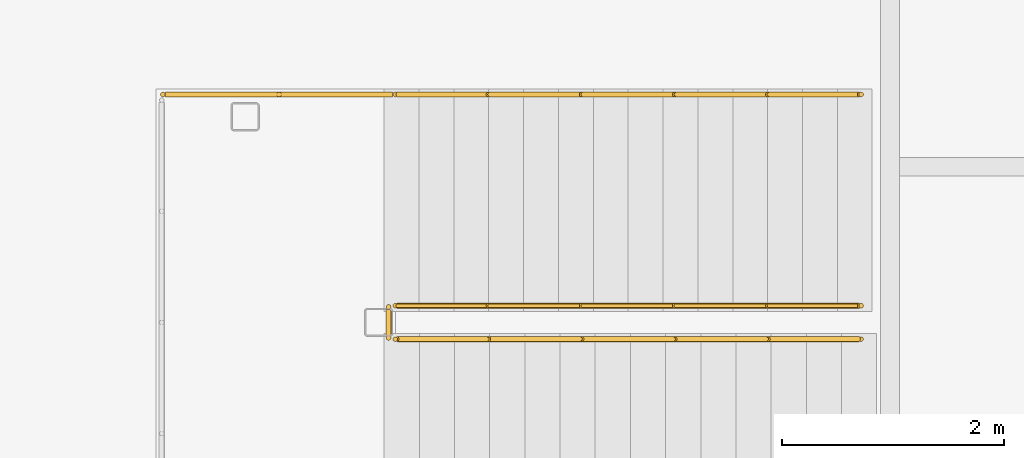
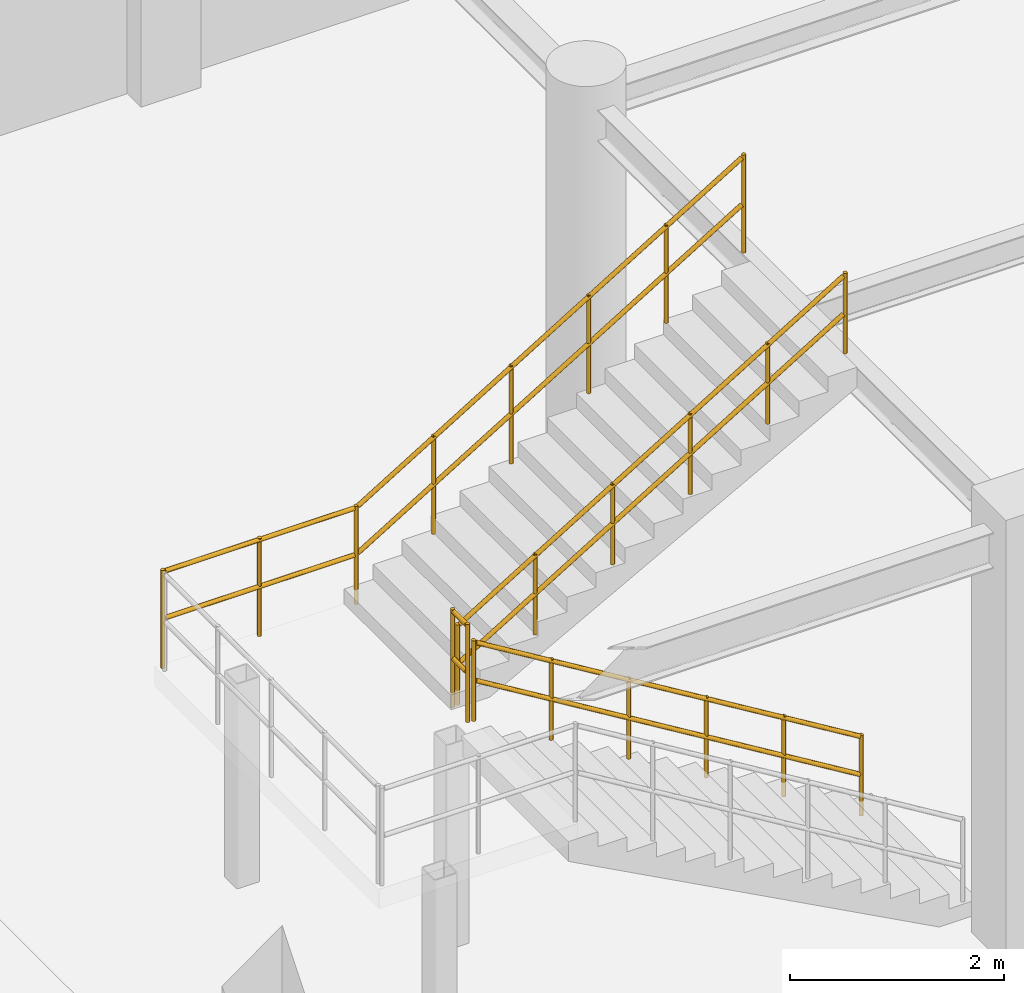
# One storey, part 90 of 99: 4 railings.
"""IFC4 building model written with IfcOpenShell, lengths in metres."""

from ifc_helpers import new_model, si_unit, direction, frame, origin, origin_2d, place, context, subcontext, project, spatial, circle, extrude, material, type_object, element, save


model = new_model("IFC4")

# Units and contexts
model_context = context("Model", 3, precision=1e-05, world=origin(), true_north=direction((0.0, 1.0)))
body_context = subcontext(model_context, "Body", "Model", "MODEL_VIEW")
ifc_project = project(units=[si_unit("LENGTHUNIT", "METRE"), si_unit("AREAUNIT", "SQUARE_METRE"), si_unit("VOLUMEUNIT", "CUBIC_METRE"), si_unit("PLANEANGLEUNIT", "RADIAN"), si_unit("MASSUNIT", "GRAM", prefix="KILO")], contexts=[model_context])

# Site, building, storey
site_placement = place(None, origin())
site = spatial("IfcSite", under=ifc_project, at=site_placement, CompositionType="ELEMENT")
building_placement = place(site_placement, origin())
building = spatial("IfcBuilding", under=site, at=building_placement, Name="Vaudrelin Polytechnic", CompositionType="ELEMENT")
storey_placement = place(building_placement, origin())
storey = spatial("IfcBuildingStorey", under=building, at=storey_placement, Name="L00", CompositionType="ELEMENT", Elevation=0.0)

# Railings
ifc_material = material(Name="Brushed stainless steel AISI 304", Category="steel")
railing_type_1 = type_object("IfcRailingType", Name="RAL-GR-INT", PredefinedType="GUARDRAIL", material=ifc_material)
railing_1_placement = place(storey_placement, frame((76.489990234375, 34.909912109375, 2.550048828125)))
element("IfcRailing", 1, at=railing_1_placement, inside=storey, type_object=railing_type_1, Name="ST-WG1 landing well guardrail", PredefinedType="GUARDRAIL", context=body_context, shape_type="SweptSolid", body=[
    extrude(circle(Radius=0.02392578125, at=origin_2d()), frame((0.0, 0.023193359375, 1.09619140625), z_axis=(0.0, 1.0, 0.0), x_axis=(-1.0, 0.0, 0.0)), (0.0, 0.0, 1.0), 0.23388671875),
    extrude(circle(Radius=0.02392578125, at=origin_2d()), frame((0.0, 0.023193359375, 0.56005859375), z_axis=(0.0, 1.0, 0.0), x_axis=(-1.0, 0.0, 0.0)), (0.0, 0.0, 1.0), 0.23388671875),
    extrude(circle(Radius=0.02099609375, at=origin_2d()), origin(), (0.0, 0.0, 1.0), 1.1201171875),
    extrude(circle(Radius=0.02099609375, at=origin_2d()), frame((0.0, 0.280029296875, 0.0)), (0.0, 0.0, 1.0), 1.1201171875),
])
railing_2_placement = place(storey_placement, frame((74.4599609375, 37.10009765625, 2.550048828125)))
element("IfcRailing", 2, at=railing_2_placement, inside=storey, type_object=railing_type_1, Name="ST-WG1 outer north guardrail", PredefinedType="GUARDRAIL", context=body_context, shape_type="SweptSolid", body=[
    extrude(circle(Radius=0.02392578125, at=origin_2d()), frame((0.023193359375, 0.0, 1.09619140625), z_axis=(1.0, 0.0, 0.0), x_axis=(0.0, 1.0, 0.0)), (0.0, 0.0, 1.0), 2.0439453125),
    extrude(circle(Radius=0.02392578125, at=origin_2d()), frame((0.023193359375, 0.0, 0.56005859375), z_axis=(1.0, 0.0, 0.0), x_axis=(0.0, 1.0, 0.0)), (0.0, 0.0, 1.0), 2.0439453125),
    extrude(circle(Radius=0.02392578125, at=origin_2d()), frame((2.10986328125, 0.0, 1.108154296875), z_axis=(0.854230272407, 0.0, 0.519894837157), x_axis=(0.0, 1.0, 0.0)), (0.0, 0.0, 1.0), 4.858642578125),
    extrude(circle(Radius=0.02392578125, at=origin_2d()), frame((2.10986328125, 0.0, 0.572021484375), z_axis=(0.854230272407, 0.0, 0.519894837157), x_axis=(0.0, 1.0, 0.0)), (0.0, 0.0, 1.0), 4.858642578125),
    extrude(circle(Radius=0.02099609375, at=origin_2d()), origin(), (0.0, 0.0, 1.0), 1.1201171875),
    extrude(circle(Radius=0.02099609375, at=origin_2d()), frame((1.044921875, 0.0, 0.0)), (0.0, 0.0, 1.0), 1.1201171875),
    extrude(circle(Radius=0.02099609375, at=origin_2d()), frame((2.090087890625, 0.0, 0.0)), (0.0, 0.0, 1.0), 1.1201171875),
    extrude(circle(Radius=0.02099609375, at=origin_2d()), frame((2.927978515625, 0.0, 0.510009765625)), (0.0, 0.0, 1.0), 1.1201171875),
    extrude(circle(Radius=0.02099609375, at=origin_2d()), frame((3.76611328125, 0.0, 1.02001953125)), (0.0, 0.0, 1.0), 1.1201171875),
    extrude(circle(Radius=0.02099609375, at=origin_2d()), frame((4.60400390625, 0.0, 1.530029296875)), (0.0, 0.0, 1.0), 1.1201171875),
    extrude(circle(Radius=0.02099609375, at=origin_2d()), frame((5.442138671875, 0.0, 2.0400390625)), (0.0, 0.0, 1.0), 1.1201171875),
    extrude(circle(Radius=0.02099609375, at=origin_2d()), frame((6.280029296875, 0.0, 2.550048828125)), (0.0, 0.0, 1.0), 1.1201171875),
])
railing_type_2 = type_object("IfcRailingType", Name="RAL-HR-STR", PredefinedType="HANDRAIL", material=ifc_material)
railing_3_placement = place(storey_placement, frame((80.739990234375, 34.89990234375, 0.0)))
element("IfcRailing", 3, at=railing_3_placement, inside=storey, type_object=railing_type_2, Name="ST-WG1 flight 1 handrail", PredefinedType="HANDRAIL", context=body_context, shape_type="SweptSolid", body=[
    extrude(circle(Radius=0.02392578125, at=origin_2d()), frame((-0.019775390625, 0.0, 0.907958984375), z_axis=(-0.854230272407, 0.0, 0.519894837157), x_axis=(0.0, -1.0, 0.0)), (0.0, 0.0, 1.0), 4.858642578125),
    extrude(circle(Radius=0.02392578125, at=origin_2d()), frame((-0.019775390625, 0.0, 0.471923828125), z_axis=(-0.854230272407, 0.0, 0.519894837157), x_axis=(0.0, -1.0, 0.0)), (0.0, 0.0, 1.0), 4.858642578125),
    extrude(circle(Radius=0.02099609375, at=origin_2d()), origin(), (0.0, 0.0, 1.0), 0.919921875),
    extrude(circle(Radius=0.02099609375, at=origin_2d()), frame((-0.837890625, 0.0, 0.510009765625)), (0.0, 0.0, 1.0), 0.919921875),
    extrude(circle(Radius=0.02099609375, at=origin_2d()), frame((-1.676025390625, 0.0, 1.02001953125)), (0.0, 0.0, 1.0), 0.919921875),
    extrude(circle(Radius=0.02099609375, at=origin_2d()), frame((-2.513916015625, 0.0, 1.530029296875)), (0.0, 0.0, 1.0), 0.919921875),
    extrude(circle(Radius=0.02099609375, at=origin_2d()), frame((-3.35205078125, 0.0, 2.0400390625)), (0.0, 0.0, 1.0), 0.919921875),
    extrude(circle(Radius=0.02099609375, at=origin_2d()), frame((-4.18994140625, 0.0, 2.550048828125)), (0.0, 0.0, 1.0), 0.919921875),
])
railing_4_placement = place(storey_placement, frame((76.550048828125, 35.199951171875, 2.550048828125)))
element("IfcRailing", 4, at=railing_4_placement, inside=storey, type_object=railing_type_2, Name="ST-WG1 flight 2 handrail", PredefinedType="HANDRAIL", context=body_context, shape_type="SweptSolid", body=[
    extrude(circle(Radius=0.02392578125, at=origin_2d()), frame((0.019775390625, 0.0, 0.907958984375), z_axis=(0.854230272407, 0.0, 0.519894837157), x_axis=(0.0, 1.0, 0.0)), (0.0, 0.0, 1.0), 4.858642578125),
    extrude(circle(Radius=0.02392578125, at=origin_2d()), frame((0.019775390625, 0.0, 0.471923828125), z_axis=(0.854230272407, 0.0, 0.519894837157), x_axis=(0.0, 1.0, 0.0)), (0.0, 0.0, 1.0), 4.858642578125),
    extrude(circle(Radius=0.02099609375, at=origin_2d()), origin(), (0.0, 0.0, 1.0), 0.919921875),
    extrude(circle(Radius=0.02099609375, at=origin_2d()), frame((0.837890625, 0.0, 0.510009765625)), (0.0, 0.0, 1.0), 0.919921875),
    extrude(circle(Radius=0.02099609375, at=origin_2d()), frame((1.676025390625, 0.0, 1.02001953125)), (0.0, 0.0, 1.0), 0.919921875),
    extrude(circle(Radius=0.02099609375, at=origin_2d()), frame((2.513916015625, 0.0, 1.530029296875)), (0.0, 0.0, 1.0), 0.919921875),
    extrude(circle(Radius=0.02099609375, at=origin_2d()), frame((3.35205078125, 0.0, 2.0400390625)), (0.0, 0.0, 1.0), 0.919921875),
    extrude(circle(Radius=0.02099609375, at=origin_2d()), frame((4.18994140625, 0.0, 2.550048828125)), (0.0, 0.0, 1.0), 0.919921875),
])

save(model, "model.ifc")
